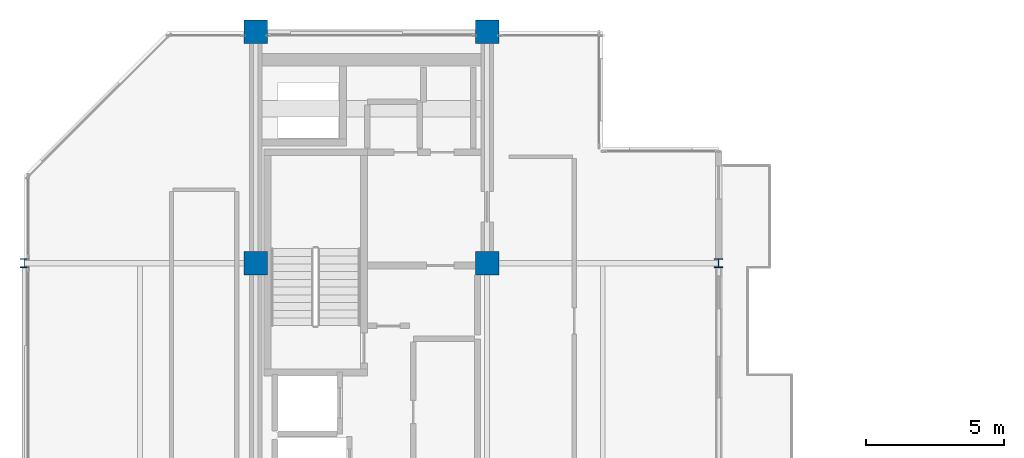
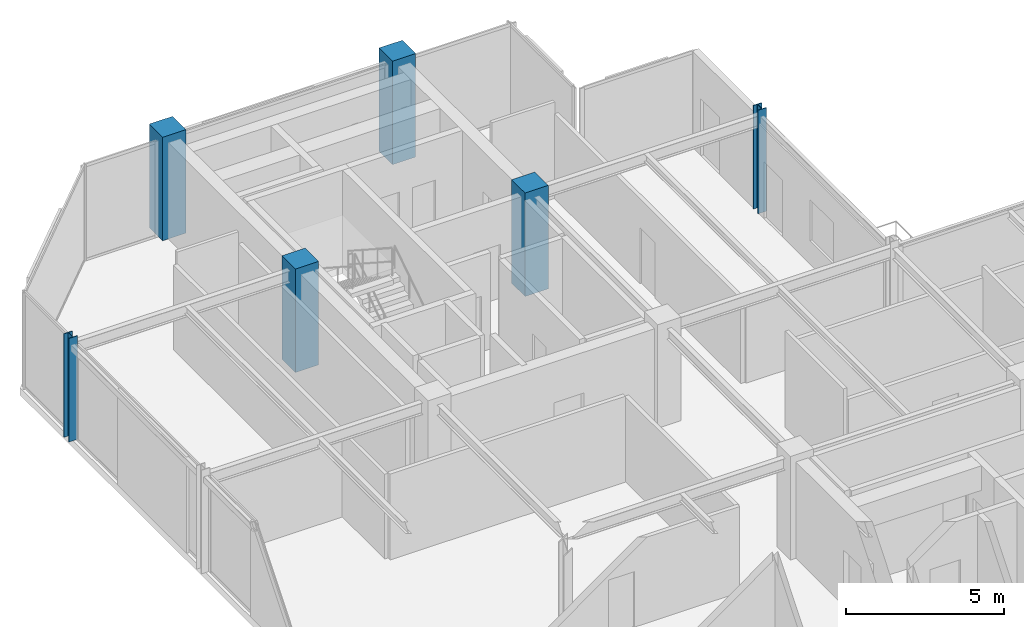
# One storey, part 2 of 26: 6 columns.
"""IFC4 building model written with IfcOpenShell, lengths in metres."""

from ifc_helpers import new_model, si_unit, direction, frame, origin, origin_2d, place, context, subcontext, project, spatial, rectangle, i_section, extrude, material, material_profile, profile_set, type_object, element, save


model = new_model("IFC4")

# Units and contexts
model_context = context("Model", 3, precision=1e-05, world=origin(), true_north=direction((0.0, 1.0)))
body_context = subcontext(model_context, "Body", "Model", "MODEL_VIEW")
ifc_project = project(units=[si_unit("LENGTHUNIT", "METRE"), si_unit("AREAUNIT", "SQUARE_METRE"), si_unit("VOLUMEUNIT", "CUBIC_METRE"), si_unit("PLANEANGLEUNIT", "RADIAN"), si_unit("MASSUNIT", "GRAM", prefix="KILO")], contexts=[model_context])

# Site, building, storey
site_placement = place(None, origin())
site = spatial("IfcSite", under=ifc_project, at=site_placement, CompositionType="ELEMENT")
building_placement = place(site_placement, origin())
building = spatial("IfcBuilding", under=site, at=building_placement, Name="Nerrivon Quay Data Exchange", CompositionType="ELEMENT")
storey_placement = place(building_placement, frame((0.0, 0.0, 262.199951171875)))
storey = spatial("IfcBuildingStorey", under=building, at=storey_placement, Name="L62", CompositionType="ELEMENT", Elevation=262.199951171875)

# Columns
ifc_material_1 = material(Name="Concrete N50 (50 MPa)", Category="concrete")
ifc_material_profile_1 = material_profile(ifc_material_1, rectangle(XDim=0.85009765625, YDim=0.85009765625, at=origin_2d()), Name="RC-COL-850x850")
ifc_profile_set_1 = profile_set([ifc_material_profile_1], Name="Concrete N50 (50 MPa)")
column_type_1 = type_object("IfcColumnType", Name="COL-C5-850", PredefinedType="COLUMN", material=ifc_profile_set_1)
for number, where, z_axis, x_axis, name in (
    (1, (8.39990234375, 33.60009765625, 0.0), (0.0, 0.0, 1.0), (1.0, 0.0, 0.0), "L62 Column (8.4,33.6)"),
    (2, (8.39990234375, 42.0, 0.0), (0.0, 0.0, 1.0), (1.0, 0.0, 0.0), "L62 Column (8.4,42.0)"),
    (3, (16.800048828125, 33.60009765625, 0.0), (0.0, 0.0, 1.0), (1.0, 0.0, 0.0), "L62 Column (16.8,33.6)"),
    (4, (16.800048828125, 42.0, 0.0), (0.0, 0.0, 1.0), (1.0, 0.0, 0.0), "L62 Column (16.8,42.0)"),
):
    element("IfcColumn", number, at=place(storey_placement, frame(where, z_axis=z_axis, x_axis=x_axis)), inside=storey, type_object=column_type_1, Name=name, PredefinedType="COLUMN", context=body_context, shape_type="SweptSolid", body=[
        extrude(rectangle(XDim=0.85009765625, YDim=0.85009765625, at=origin_2d()), origin(), (0.0, 0.0, 1.0), 4.0),
    ])
ifc_material_2 = material(Name="Steel Grade 350", Category="steel")
ifc_material_profile_2 = material_profile(ifc_material_2, i_section(OverallWidth=0.31103515625, OverallDepth=0.326904296875, WebThickness=0.015625, FlangeThickness=0.02490234375, FilletRadius=0.0166015625, at=origin_2d()), Name="310UC158")
ifc_profile_set_2 = profile_set([ifc_material_profile_2], Name="Steel Grade 350")
column_type_2 = type_object("IfcColumnType", Name="COL-SC4-310UC158", PredefinedType="COLUMN", material=ifc_profile_set_2)
for number, where, z_axis, x_axis, name in (
    (5, (0.0, 33.60009765625, 0.0), (0.0, 0.0, 1.0), (1.0, 0.0, 0.0), "L62 Column (0.0,33.6)"),
    (6, (25.199951171875, 33.60009765625, 0.0), (0.0, 0.0, 1.0), (1.0, 0.0, 0.0), "L62 Column (25.2,33.6)"),
):
    element("IfcColumn", number, at=place(storey_placement, frame(where, z_axis=z_axis, x_axis=x_axis)), inside=storey, type_object=column_type_2, Name=name, PredefinedType="COLUMN", context=body_context, shape_type="SweptSolid", body=[
        extrude(i_section(OverallWidth=0.31103515625, OverallDepth=0.326904296875, WebThickness=0.015625, FlangeThickness=0.02490234375, FilletRadius=0.0166015625, at=origin_2d()), origin(), (0.0, 0.0, 1.0), 4.0),
    ])

save(model, "model.ifc")
